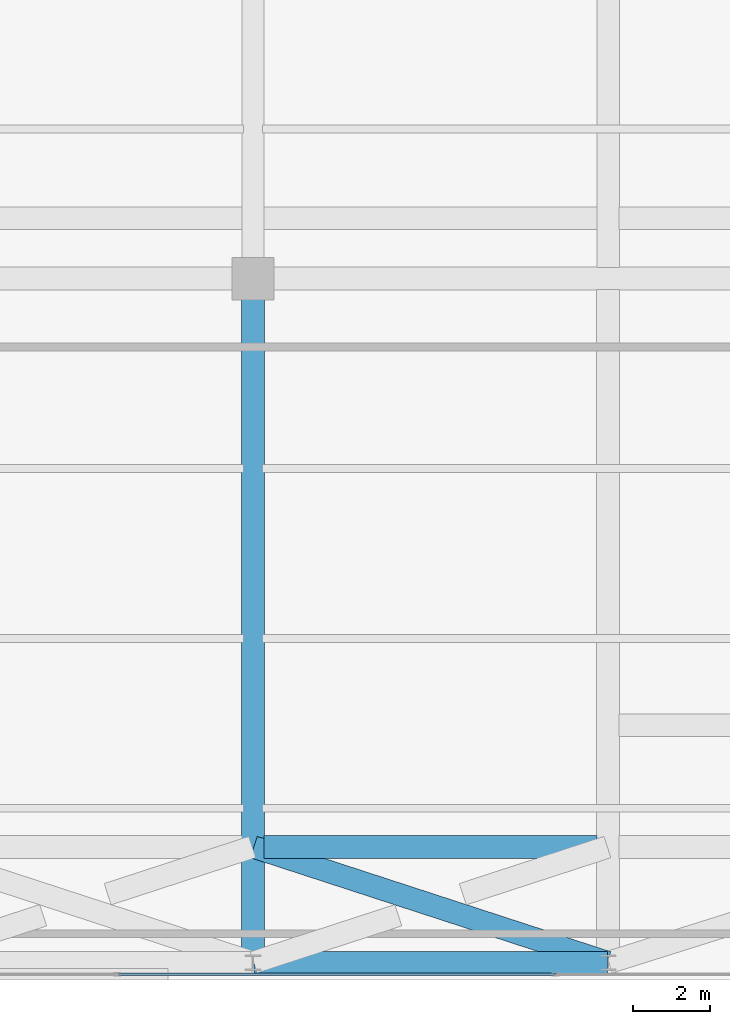
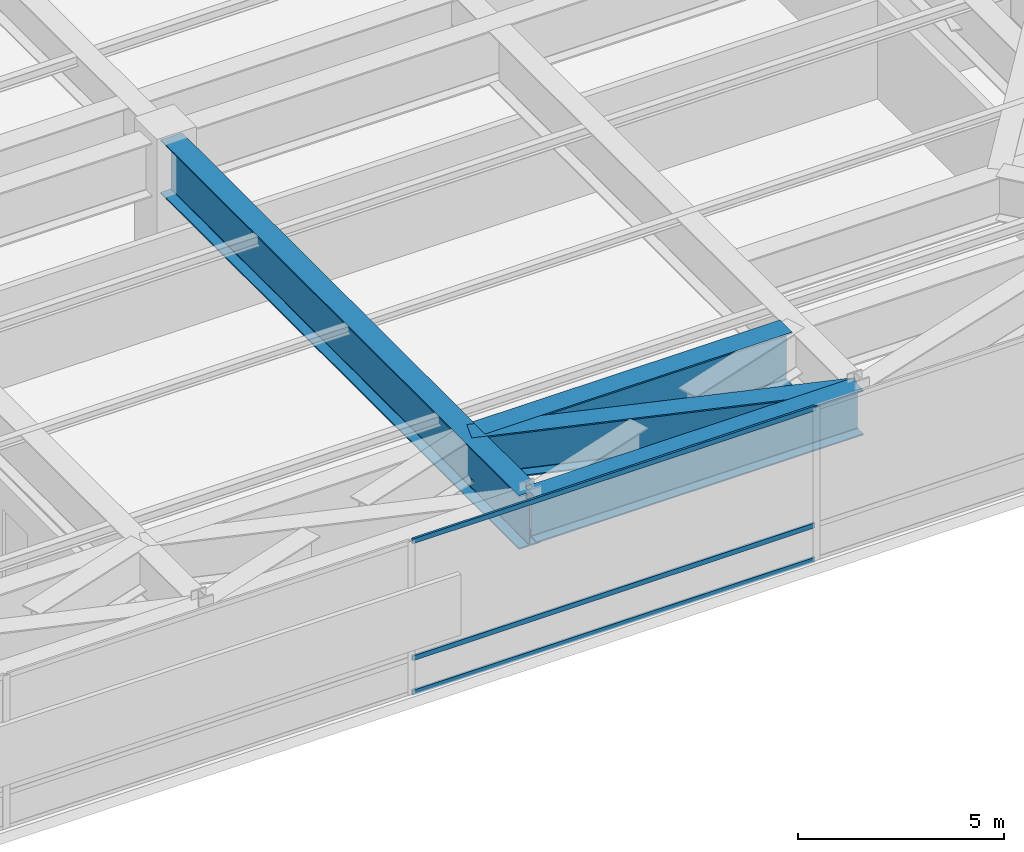
# One storey, part 13 of 30: 4 beams, 3 members, 1 element without a shape of its own.
"""IFC4 building model written with IfcOpenShell, lengths in metres."""

from ifc_helpers import new_model, si_unit, direction, frame, origin, origin_2d, place, context, subcontext, project, spatial, hollow_rectangle, i_section, extrude, source, transform, mapped, material, layer, layer_set, material_profile, profile_set, type_object, type_shapes, element, aggregate, save


model = new_model("IFC4")

# Units and contexts
model_context = context("Model", 3, precision=1e-05, world=origin(), true_north=direction((0.0, 1.0)))
body_context = subcontext(model_context, "Body", "Model", "MODEL_VIEW")
ifc_project = project(units=[si_unit("LENGTHUNIT", "METRE"), si_unit("AREAUNIT", "SQUARE_METRE"), si_unit("VOLUMEUNIT", "CUBIC_METRE"), si_unit("PLANEANGLEUNIT", "RADIAN"), si_unit("MASSUNIT", "GRAM", prefix="KILO")], contexts=[model_context])

# Site, building, storey
site_placement = place(None, origin())
site = spatial("IfcSite", under=ifc_project, at=site_placement, CompositionType="ELEMENT")
building_placement = place(site_placement, origin())
building = spatial("IfcBuilding", under=site, at=building_placement, Name="Varnel Quay Broadcast Tower", CompositionType="ELEMENT")
storey_placement = place(building_placement, frame((0.0, 0.0, 82.199951171875)))
storey = spatial("IfcBuildingStorey", under=building, at=storey_placement, Name="L19", CompositionType="ELEMENT", Elevation=82.199951171875)

# Beams
ifc_material_1 = material(Name="Structural Steel CSA G40.21 350WT", Category="steel")
ifc_material_profile_1 = material_profile(ifc_material_1, i_section(OverallWidth=0.580078125, OverallDepth=1.330078125, WebThickness=0.02197265625, FlangeThickness=0.0380859375, FilletRadius=0.02001953125, at=origin_2d()), Name="WWF1330X535")
ifc_profile_set_1 = profile_set([ifc_material_profile_1], Name="Structural Steel CSA G40.21 350WT")
beam_type_1 = type_object("IfcBeamType", Name="Girder_WWF1330X535", PredefinedType="BEAM", material=ifc_profile_set_1)
shared_shape_1 = source(origin(), body_context, "Body", "SweptSolid", [
    extrude(i_section(OverallWidth=0.580078125, OverallDepth=1.330078125, WebThickness=0.02197265625, FlangeThickness=0.0380859375, FilletRadius=0.02001953125, at=origin_2d()), origin(), (0.0, 0.0, 1.0), 9.159912109375),
])
beam_1_placement = place(storey_placement, frame((43.219970703125, 1.64990234375, 3.885009765625), z_axis=(1.0, 0.0, 0.0), x_axis=(0.0, 1.0, 0.0)))
element("IfcBeam", 1, at=beam_1_placement, inside=storey, type_object=beam_type_1, Name="L19 Perimeter Transfer Spine TC-S4-TC-S5", PredefinedType="BEAM", context=body_context, shape_type="MappedRepresentation", body=[
    mapped(shared_shape_1, transform((0.0, 0.0, 0.0), x_axis=(1.0, 0.0, 0.0), y_axis=(0.0, 1.0, 0.0), z_axis=(0.0, 0.0, 1.0), scale=1.0)),
])
ifc_material_profile_2 = material_profile(ifc_material_1, i_section(OverallWidth=0.60009765625, OverallDepth=1.60009765625, WebThickness=0.02392578125, FlangeThickness=0.0419921875, FilletRadius=0.02197265625, at=origin_2d()), Name="WWF1600X620")
ifc_profile_set_2 = profile_set([ifc_material_profile_2], Name="Structural Steel CSA G40.21 350WT")
beam_type_2 = type_object("IfcBeamType", Name="Girder_WWF1600X620", PredefinedType="BEAM", material=ifc_profile_set_2)
shared_shape_2 = source(origin(), body_context, "Body", "SweptSolid", [
    extrude(i_section(OverallWidth=0.60009765625, OverallDepth=1.60009765625, WebThickness=0.02392578125, FlangeThickness=0.0419921875, FilletRadius=0.02197265625, at=origin_2d()), origin(), (0.0, 0.0, 1.0), 17.4150390625),
])
beam_2_placement = place(storey_placement, frame((43.199951171875, 1.669921875, 3.75), z_axis=(0.0, 1.0, 0.0), x_axis=(-1.0, 0.0, 0.0)))
element("IfcBeam", 2, at=beam_2_placement, inside=storey, type_object=beam_type_2, Name="L19 N-S Transfer Girder 4A", PredefinedType="BEAM", context=body_context, shape_type="MappedRepresentation", body=[
    mapped(shared_shape_2, transform((0.0, 0.0, 0.0), x_axis=(1.0, 0.0, 0.0), y_axis=(0.0, 1.0, 0.0), z_axis=(0.0, 0.0, 1.0), scale=1.0)),
])
shared_shape_3 = source(origin(), body_context, "Body", "SweptSolid", [
    extrude(i_section(OverallWidth=0.60009765625, OverallDepth=1.60009765625, WebThickness=0.02392578125, FlangeThickness=0.0419921875, FilletRadius=0.02197265625, at=origin_2d()), origin(), (0.0, 0.0, 1.0), 8.6298828125),
])
type_shapes(beam_type_2, [shared_shape_2, shared_shape_3])
beam_3_placement = place(storey_placement, frame((43.485107421875, 4.64990234375, 3.75), z_axis=(1.0, 0.0, 0.0), x_axis=(0.0, 1.0, 0.0)))
element("IfcBeam", 3, at=beam_3_placement, inside=storey, type_object=beam_type_2, Name="L19 Setback South Transfer Header 5", PredefinedType="BEAM", context=body_context, shape_type="MappedRepresentation", body=[
    mapped(shared_shape_3, transform((0.0, 0.0, 0.0), x_axis=(1.0, 0.0, 0.0), y_axis=(0.0, 1.0, 0.0), z_axis=(0.0, 0.0, 1.0), scale=1.0)),
])
shared_shape_4 = source(origin(), body_context, "Body", "SweptSolid", [
    extrude(i_section(OverallWidth=0.580078125, OverallDepth=1.330078125, WebThickness=0.02197265625, FlangeThickness=0.0380859375, FilletRadius=0.02001953125, at=origin_2d()), origin(), (0.0, 0.0, 1.0), 9.636962890625),
])
type_shapes(beam_type_1, [shared_shape_1, shared_shape_4])
beam_4_placement = place(storey_placement, frame((52.381103515625, 1.65625, 3.885009765625), z_axis=(-0.95073276134, 0.310011639323, 0.0), x_axis=(-0.310011639323, -0.95073276134, 0.0)))
element("IfcBeam", 4, at=beam_4_placement, inside=storey, type_object=beam_type_1, Name="L19 X-Braced Transfer Tie TC-S4-TC-S5", PredefinedType="BEAM", context=body_context, shape_type="MappedRepresentation", body=[
    mapped(shared_shape_4, transform((0.0, 0.0, 0.0), x_axis=(1.0, 0.0, 0.0), y_axis=(0.0, 1.0, 0.0), z_axis=(0.0, 0.0, 1.0), scale=1.0)),
])

# Curtain wall, members
ifc_material_2 = material(Name="Anodised Bronze Aluminium 6063-T6", Category="aluminium")
ifc_layer = layer(ifc_material_2, 0.18994140625, Name="Anodised Bronze Aluminium 6063-T6")
ifc_layer_set = layer_set([ifc_layer], Name="Anodised Bronze Aluminium 6063-T6")
curtain_wall_type = type_object("IfcCurtainWallType", Name="CW_LowerTower", PredefinedType="NOTDEFINED", material=ifc_layer_set)
curtain_wall_placement = place(storey_placement, origin())
curtain_wall = element("IfcCurtainWall", 5, at=curtain_wall_placement, inside=storey, type_object=curtain_wall_type, Name="L19 South Unitised Curtain Wall 1", PredefinedType="NOTDEFINED")
ifc_material_profile_3 = material_profile(ifc_material_2, hollow_rectangle(XDim=0.06005859375, YDim=0.14501953125, WallThickness=0.00341796875, at=origin_2d()), Name="ALU60X145X3.5")
ifc_profile_set_3 = profile_set([ifc_material_profile_3], Name="Anodised Bronze Aluminium 6063-T6")
member_type = type_object("IfcMemberType", Name="Tran_CWS-02", PredefinedType="USERDEFINED", material=ifc_profile_set_3)
shared_shape_5 = source(origin(), body_context, "Body", "SweptSolid", [
    extrude(hollow_rectangle(XDim=0.06005859375, YDim=0.14501953125, WallThickness=0.00341796875, at=origin_2d()), origin(), (0.0, 0.0, 1.0), 11.289794921875),
])
type_shapes(member_type, [shared_shape_5])
member_1_placement = place(storey_placement, frame((39.715087890625, 1.35009765625, 0.030029296875), z_axis=(1.0, 0.0, 0.0), x_axis=(0.0, 1.0, 0.0)))
member_1 = element("IfcMember", 6, at=member_1_placement, type_object=member_type, Name="CWS-02 transom 4.1", ObjectType="TRANSOM", PredefinedType="USERDEFINED", context=body_context, shape_type="MappedRepresentation", body=[
    mapped(shared_shape_5, transform((0.0, 0.0, 0.0), x_axis=(1.0, 0.0, 0.0), y_axis=(0.0, 1.0, 0.0), z_axis=(0.0, 0.0, 1.0), scale=1.0)),
])
member_2_placement = place(storey_placement, frame((39.715087890625, 1.35009765625, 1.050048828125), z_axis=(1.0, 0.0, 0.0), x_axis=(0.0, 1.0, 0.0)))
member_2 = element("IfcMember", 7, at=member_2_placement, type_object=member_type, Name="CWS-02 transom 4.2", ObjectType="TRANSOM", PredefinedType="USERDEFINED", context=body_context, shape_type="MappedRepresentation", body=[
    mapped(shared_shape_5, transform((0.0, 0.0, 0.0), x_axis=(1.0, 0.0, 0.0), y_axis=(0.0, 1.0, 0.0), z_axis=(0.0, 0.0, 1.0), scale=1.0)),
])
member_3_placement = place(storey_placement, frame((39.715087890625, 1.35009765625, 4.52001953125), z_axis=(1.0, 0.0, 0.0), x_axis=(0.0, 1.0, 0.0)))
member_3 = element("IfcMember", 8, at=member_3_placement, type_object=member_type, Name="CWS-02 transom 4.3", ObjectType="TRANSOM", PredefinedType="USERDEFINED", context=body_context, shape_type="MappedRepresentation", body=[
    mapped(shared_shape_5, transform((0.0, 0.0, 0.0), x_axis=(1.0, 0.0, 0.0), y_axis=(0.0, 1.0, 0.0), z_axis=(0.0, 0.0, 1.0), scale=1.0)),
])
aggregate(curtain_wall, [member_1, member_2, member_3])

save(model, "model.ifc")
